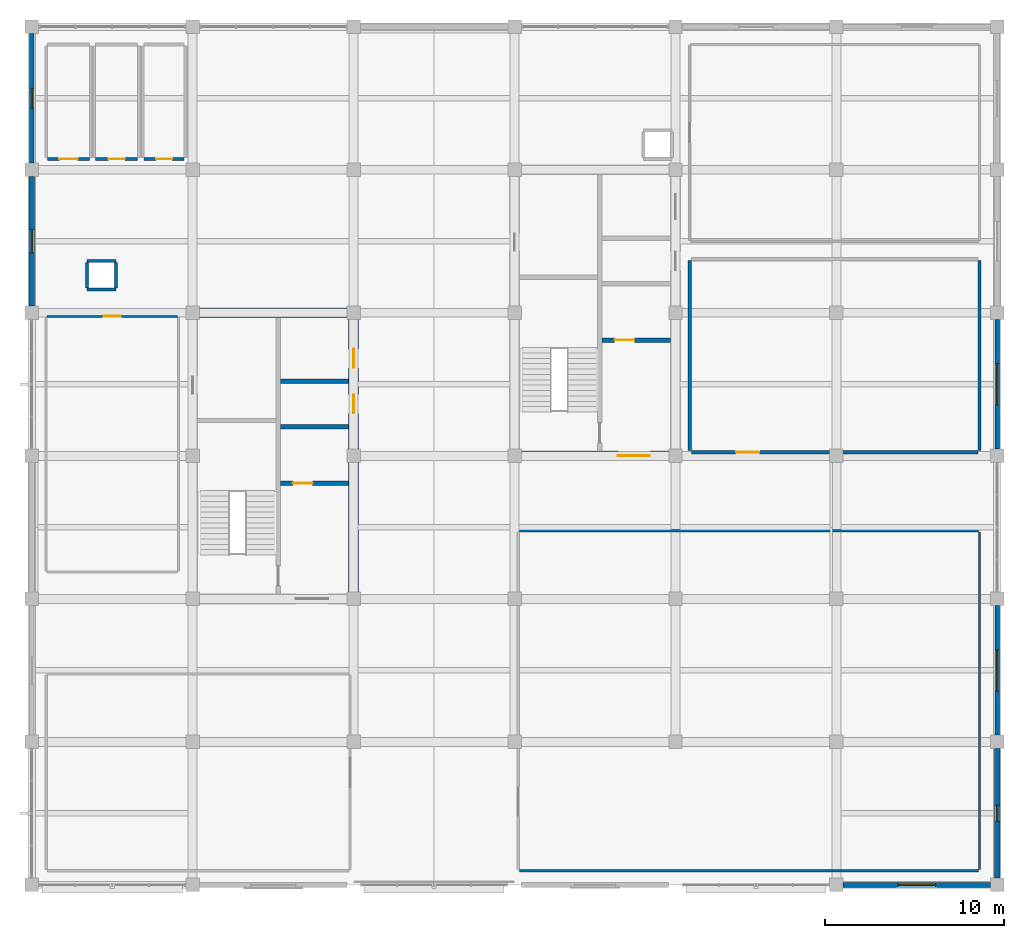
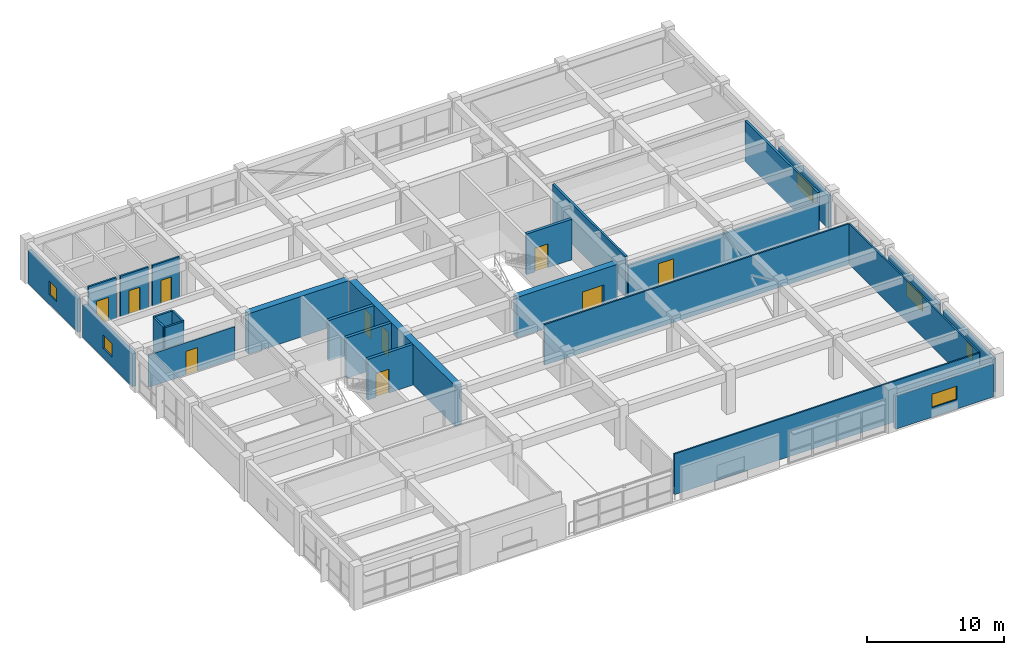
# One storey, part 12 of 15: 27 walls, 10 doors, 6 windows, 16 openings.
"""IFC4 building model written with IfcOpenShell, lengths in metres."""

from ifc_helpers import new_model, si_unit, direction, frame, frame_2d, origin, place, context, subcontext, project, spatial, rectangle, extrude, material, layer, layer_set, type_object, element, fill, save


model = new_model("IFC4")

# Units and contexts
model_context = context("Model", 3, precision=1e-05, world=origin(), true_north=direction((0.0, 1.0)))
body_context = subcontext(model_context, "Body", "Model", "MODEL_VIEW")
ifc_project = project(units=[si_unit("LENGTHUNIT", "METRE"), si_unit("AREAUNIT", "SQUARE_METRE"), si_unit("VOLUMEUNIT", "CUBIC_METRE"), si_unit("PLANEANGLEUNIT", "RADIAN"), si_unit("MASSUNIT", "GRAM", prefix="KILO")], contexts=[model_context])

# Site, building, storey
site_placement = place(None, origin())
site = spatial("IfcSite", under=ifc_project, at=site_placement, CompositionType="ELEMENT")
building_placement = place(site_placement, origin())
building = spatial("IfcBuilding", under=site, at=building_placement, Name="Zaverband Oceanarium and Marine Research Institute", CompositionType="ELEMENT")
storey_placement = place(building_placement, frame((0.0, 0.0, 49.199951171875)))
storey = spatial("IfcBuildingStorey", under=building, at=storey_placement, Name="L12", CompositionType="ELEMENT", Elevation=49.199951171875)

# Wall
ifc_material_1 = material(Name="Concrete C50/60", Category="concrete")
ifc_layer_1 = layer(ifc_material_1, 0.550048828125, Name="Concrete C50/60")
ifc_layer_set_1 = layer_set([ifc_layer_1], Name="Concrete C50/60")
wall_type_1 = type_object("IfcWallType", Name="CW-01", PredefinedType="SHEAR", material=ifc_layer_set_1)
wall_1_placement = place(storey_placement, frame((18.27490234375, 96.0, 0.0), z_axis=(0.0, 0.0, 1.0), x_axis=(1.0, 0.0, 0.0)))
element("IfcWall", 1, at=wall_1_placement, inside=storey, type_object=wall_type_1, Name="Structural shear wall CW-01", PredefinedType="SHEAR", context=body_context, shape_type="SweptSolid", body=[
    extrude(rectangle(XDim=8.4501953125, YDim=0.550048828125, at=frame_2d((4.22509765625, 0.0))), origin(), (0.0, 0.0, 1.0), 3.6201171875),
])

# Wall, openings, doors
wall_2_placement = place(storey_placement, frame((27.0, 80.27490234375, 0.0), z_axis=(0.0, 0.0, 1.0), x_axis=(0.0, 1.0, 0.0)))
wall_2 = element("IfcWall", 2, at=wall_2_placement, inside=storey, type_object=wall_type_1, Name="Structural shear wall CW-01", PredefinedType="SHEAR", context=body_context, shape_type="SweptSolid", body=[
    extrude(rectangle(XDim=15.4501953125, YDim=0.550048828125, at=frame_2d((7.72509765625, 0.0))), origin(), (0.0, 0.0, 1.0), 3.6201171875),
])
opening_1_placement = place(wall_2_placement, frame((10.10009765625, 0.0, 0.0)))
opening_1 = element("IfcOpeningElement", 3, at=opening_1_placement, cuts=wall_2, Name="Opening LD-02", PredefinedType="OPENING", context=body_context, shape_type="SweptSolid", body=[
    extrude(rectangle(XDim=1.050048828125, YDim=2.1201171875, at=frame_2d((0.52490234375, 1.06005859375))), frame((0.0, 0.287109375, 0.0), z_axis=(0.0, -1.0, 0.0), x_axis=(1.0, 0.0, 0.0)), (0.0, 0.0, 1.0), 0.573974609375),
])
opening_2_placement = place(wall_2_placement, frame((12.64990234375, 0.0, 0.0)))
opening_2 = element("IfcOpeningElement", 4, at=opening_2_placement, cuts=wall_2, Name="Opening LD-02", PredefinedType="OPENING", context=body_context, shape_type="SweptSolid", body=[
    extrude(rectangle(XDim=1.050048828125, YDim=2.1201171875, at=frame_2d((0.52490234375, 1.06005859375))), frame((0.0, 0.287109375, 0.0), z_axis=(0.0, -1.0, 0.0), x_axis=(1.0, 0.0, 0.0)), (0.0, 0.0, 1.0), 0.573974609375),
])
ifc_material_2 = material(Name="Steel S355", Category="steel")
door_type_1 = type_object("IfcDoorType", Name="LD-02", OperationType="DOUBLE_DOOR_SLIDING", PredefinedType="DOOR", material=ifc_material_2)
door_1_placement = place(opening_1_placement, origin())
door_1 = element("IfcDoor", 5, at=door_1_placement, inside=storey, type_object=door_type_1, Name="Passenger lift sliding landing door LD-02", OperationType="DOUBLE_DOOR_SLIDING", OverallHeight=2.1201171875, OverallWidth=1.050048828125, PredefinedType="DOOR", context=body_context, shape_type="SweptSolid", body=[
    extrude(rectangle(XDim=1.050048828125, YDim=2.1201171875, at=frame_2d((0.52490234375, 1.06005859375))), frame((0.0, 0.02490234375, 0.0), z_axis=(0.0, -1.0, 0.0), x_axis=(1.0, 0.0, 0.0)), (0.0, 0.0, 1.0), 0.050048828125),
])
fill(opening_1, door_1)
door_2_placement = place(opening_2_placement, origin())
door_2 = element("IfcDoor", 6, at=door_2_placement, inside=storey, type_object=door_type_1, Name="Passenger lift sliding landing door LD-02", OperationType="DOUBLE_DOOR_SLIDING", OverallHeight=2.1201171875, OverallWidth=1.050048828125, PredefinedType="DOOR", context=body_context, shape_type="SweptSolid", body=[
    extrude(rectangle(XDim=1.050048828125, YDim=2.1201171875, at=frame_2d((0.52490234375, 1.06005859375))), frame((0.0, 0.02490234375, 0.0), z_axis=(0.0, -1.0, 0.0), x_axis=(1.0, 0.0, 0.0)), (0.0, 0.0, 1.0), 0.050048828125),
])
fill(opening_2, door_2)

# Wall, opening, door
wall_3_placement = place(storey_placement, frame((36.27490234375, 88.0, 0.0), z_axis=(0.0, 0.0, 1.0), x_axis=(1.0, 0.0, 0.0)))
wall_3 = element("IfcWall", 7, at=wall_3_placement, inside=storey, type_object=wall_type_1, Name="Structural shear wall CW-01", PredefinedType="SHEAR", context=body_context, shape_type="SweptSolid", body=[
    extrude(rectangle(XDim=8.4501953125, YDim=0.550048828125, at=frame_2d((4.22509765625, 0.0))), origin(), (0.0, 0.0, 1.0), 3.6201171875),
])
opening_3_placement = place(wall_3_placement, frame((5.5, 0.0, 0.0)))
opening_3 = element("IfcOpeningElement", 8, at=opening_3_placement, cuts=wall_3, Name="Opening FD-02", PredefinedType="OPENING", context=body_context, shape_type="SweptSolid", body=[
    extrude(rectangle(XDim=1.800048828125, YDim=2.179931640625, at=frame_2d((0.89990234375, 1.08984375))), frame((0.0, 0.287109375, 0.0), z_axis=(0.0, -1.0, 0.0), x_axis=(1.0, 0.0, 0.0)), (0.0, 0.0, 1.0), 0.573974609375),
])
door_type_2 = type_object("IfcDoorType", Name="FD-02", OperationType="DOUBLE_DOOR_SINGLE_SWING", PredefinedType="DOOR", material=ifc_material_2)
door_3_placement = place(opening_3_placement, origin())
door_3 = element("IfcDoor", 9, at=door_3_placement, inside=storey, type_object=door_type_2, Name="Protected lobby double fire door FD-02", OperationType="DOUBLE_DOOR_SINGLE_SWING", OverallHeight=2.179931640625, OverallWidth=1.800048828125, PredefinedType="DOOR", context=body_context, shape_type="SweptSolid", body=[
    extrude(rectangle(XDim=1.800048828125, YDim=2.179931640625, at=frame_2d((0.89990234375, 1.08984375))), frame((0.0, 0.02490234375, 0.0), z_axis=(0.0, -1.0, 0.0), x_axis=(1.0, 0.0, 0.0)), (0.0, 0.0, 1.0), 0.050048828125),
])
fill(opening_3, door_3)

# Wall, opening, window
ifc_material_3 = material(Name="Concrete C40/50 precast", Category="concrete")
ifc_layer_2 = layer(ifc_material_3, 0.264892578125, Name="Concrete C40/50 precast")
ifc_layer_set_2 = layer_set([ifc_layer_2], Name="Concrete C40/50 precast")
wall_type_2 = type_object("IfcWallType", Name="EW-265", PredefinedType="STANDARD", material=ifc_layer_set_2)
wall_4_placement = place(storey_placement, frame((54.3798828125, 64.0, 0.0), z_axis=(0.0, 0.0, 1.0), x_axis=(1.0, 0.0, 0.0)))
wall_4 = element("IfcWall", 10, at=wall_4_placement, inside=storey, type_object=wall_type_2, Name="Exterior infill wall EW-265", PredefinedType="STANDARD", context=body_context, shape_type="SweptSolid", body=[
    extrude(rectangle(XDim=8.240234375, YDim=0.264892578125, at=frame_2d((4.1201171875, 0.0))), origin(), (0.0, 0.0, 1.0), 2.949951171875),
])
opening_4_placement = place(wall_4_placement, frame((3.070068359375, 0.0, 0.85009765625)))
opening_4 = element("IfcOpeningElement", 11, at=opening_4_placement, cuts=wall_4, Name="Opening WN-2100x1200", PredefinedType="OPENING", context=body_context, shape_type="SweptSolid", body=[
    extrude(rectangle(XDim=2.10009765625, YDim=1.199951171875, at=frame_2d((1.050048828125, 0.60009765625))), frame((0.0, 0.14453125, 0.0), z_axis=(0.0, -1.0, 0.0), x_axis=(1.0, 0.0, 0.0)), (0.0, 0.0, 1.0), 0.288818359375),
])
ifc_material_4 = material(Name="Thermally broken anodized aluminium and solar-control glass", Category="aluminium")
window_type_1 = type_object("IfcWindowType", Name="WN-2100x1200", PartitioningType="SINGLE_PANEL", PredefinedType="WINDOW", material=ifc_material_4)
window_1_placement = place(opening_4_placement, origin())
window_1 = element("IfcWindow", 12, at=window_1_placement, inside=storey, type_object=window_type_1, Name="Fixed / casement exterior window WN-2100x1200", OverallHeight=1.199951171875, OverallWidth=2.10009765625, PartitioningType="SINGLE_PANEL", PredefinedType="WINDOW", context=body_context, shape_type="SweptSolid", body=[
    extrude(rectangle(XDim=2.10009765625, YDim=1.199951171875, at=frame_2d((1.050048828125, 0.60009765625))), frame((0.0, 0.030029296875, 0.0), z_axis=(0.0, -1.0, 0.0), x_axis=(1.0, 0.0, 0.0)), (0.0, 0.0, 1.0), 0.06005859375),
])
fill(opening_4, window_1)

wall_5_placement = place(storey_placement, frame((9.0, 104.3798828125, 0.0), z_axis=(0.0, 0.0, 1.0), x_axis=(0.0, 1.0, 0.0)))
wall_5 = element("IfcWall", 13, at=wall_5_placement, inside=storey, type_object=wall_type_2, Name="Exterior infill wall EW-265", PredefinedType="STANDARD", context=body_context, shape_type="SweptSolid", body=[
    extrude(rectangle(XDim=7.240234375, YDim=0.264892578125, at=frame_2d((3.6201171875, 0.0))), origin(), (0.0, 0.0, 1.0), 2.949951171875),
])
opening_5_placement = place(wall_5_placement, frame((3.070068359375, 0.0, 0.85009765625)))
opening_5 = element("IfcOpeningElement", 14, at=opening_5_placement, cuts=wall_5, Name="Opening WN-1100x1200", PredefinedType="OPENING", context=body_context, shape_type="SweptSolid", body=[
    extrude(rectangle(XDim=1.10009765625, YDim=1.199951171875, at=frame_2d((0.550048828125, 0.60009765625))), frame((0.0, 0.14453125, 0.0), z_axis=(0.0, -1.0, 0.0), x_axis=(1.0, 0.0, 0.0)), (0.0, 0.0, 1.0), 0.288818359375),
])
window_type_2 = type_object("IfcWindowType", Name="WN-1100x1200", PartitioningType="SINGLE_PANEL", PredefinedType="WINDOW", material=ifc_material_4)
window_2_placement = place(opening_5_placement, origin())
window_2 = element("IfcWindow", 15, at=window_2_placement, inside=storey, type_object=window_type_2, Name="Fixed / casement exterior window WN-1100x1200", OverallHeight=1.199951171875, OverallWidth=1.10009765625, PartitioningType="SINGLE_PANEL", PredefinedType="WINDOW", context=body_context, shape_type="SweptSolid", body=[
    extrude(rectangle(XDim=1.10009765625, YDim=1.199951171875, at=frame_2d((0.550048828125, 0.60009765625))), frame((0.0, 0.030029296875, 0.0), z_axis=(0.0, -1.0, 0.0), x_axis=(1.0, 0.0, 0.0)), (0.0, 0.0, 1.0), 0.06005859375),
])
fill(opening_5, window_2)

wall_6_placement = place(storey_placement, frame((63.0, 72.3798828125, 0.0), z_axis=(0.0, 0.0, 1.0), x_axis=(0.0, 1.0, 0.0)))
wall_6 = element("IfcWall", 16, at=wall_6_placement, inside=storey, type_object=wall_type_2, Name="Exterior infill wall EW-265", PredefinedType="STANDARD", context=body_context, shape_type="SweptSolid", body=[
    extrude(rectangle(XDim=7.240234375, YDim=0.264892578125, at=frame_2d((3.6201171875, 0.0))), origin(), (0.0, 0.0, 1.0), 2.949951171875),
])
opening_6_placement = place(wall_6_placement, frame((2.469970703125, 0.0, 0.85009765625)))
opening_6 = element("IfcOpeningElement", 17, at=opening_6_placement, cuts=wall_6, Name="Opening WN-2300x1350", PredefinedType="OPENING", context=body_context, shape_type="SweptSolid", body=[
    extrude(rectangle(XDim=2.300048828125, YDim=1.35009765625, at=frame_2d((1.14990234375, 0.675048828125))), frame((0.0, 0.14453125, 0.0), z_axis=(0.0, -1.0, 0.0), x_axis=(1.0, 0.0, 0.0)), (0.0, 0.0, 1.0), 0.288818359375),
])
window_type_3 = type_object("IfcWindowType", Name="WN-2300x1350", PartitioningType="SINGLE_PANEL", PredefinedType="WINDOW", material=ifc_material_4)
window_3_placement = place(opening_6_placement, origin())
window_3 = element("IfcWindow", 18, at=window_3_placement, inside=storey, type_object=window_type_3, Name="Fixed / casement exterior window WN-2300x1350", OverallHeight=1.35009765625, OverallWidth=2.300048828125, PartitioningType="SINGLE_PANEL", PredefinedType="WINDOW", context=body_context, shape_type="SweptSolid", body=[
    extrude(rectangle(XDim=2.300048828125, YDim=1.35009765625, at=frame_2d((1.14990234375, 0.675048828125))), frame((0.0, 0.030029296875, 0.0), z_axis=(0.0, -1.0, 0.0), x_axis=(1.0, 0.0, 0.0)), (0.0, 0.0, 1.0), 0.06005859375),
])
fill(opening_6, window_3)

wall_7_placement = place(storey_placement, frame((63.0, 88.3798828125, 0.0), z_axis=(0.0, 0.0, 1.0), x_axis=(0.0, 1.0, 0.0)))
wall_7 = element("IfcWall", 19, at=wall_7_placement, inside=storey, type_object=wall_type_2, Name="Exterior infill wall EW-265", PredefinedType="STANDARD", context=body_context, shape_type="SweptSolid", body=[
    extrude(rectangle(XDim=7.240234375, YDim=0.264892578125, at=frame_2d((3.6201171875, 0.0))), origin(), (0.0, 0.0, 1.0), 2.949951171875),
])
opening_7_placement = place(wall_7_placement, frame((2.469970703125, 0.0, 0.85009765625)))
opening_7 = element("IfcOpeningElement", 20, at=opening_7_placement, cuts=wall_7, Name="Opening WN-2300x1350", PredefinedType="OPENING", context=body_context, shape_type="SweptSolid", body=[
    extrude(rectangle(XDim=2.300048828125, YDim=1.35009765625, at=frame_2d((1.14990234375, 0.675048828125))), frame((0.0, 0.14453125, 0.0), z_axis=(0.0, -1.0, 0.0), x_axis=(1.0, 0.0, 0.0)), (0.0, 0.0, 1.0), 0.288818359375),
])
window_4_placement = place(opening_7_placement, origin())
window_4 = element("IfcWindow", 21, at=window_4_placement, inside=storey, type_object=window_type_3, Name="Fixed / casement exterior window WN-2300x1350", OverallHeight=1.35009765625, OverallWidth=2.300048828125, PartitioningType="SINGLE_PANEL", PredefinedType="WINDOW", context=body_context, shape_type="SweptSolid", body=[
    extrude(rectangle(XDim=2.300048828125, YDim=1.35009765625, at=frame_2d((1.14990234375, 0.675048828125))), frame((0.0, 0.030029296875, 0.0), z_axis=(0.0, -1.0, 0.0), x_axis=(1.0, 0.0, 0.0)), (0.0, 0.0, 1.0), 0.06005859375),
])
fill(opening_7, window_4)

ifc_layer_3 = layer(ifc_material_3, 0.2900390625, Name="Concrete C40/50 precast")
ifc_layer_set_3 = layer_set([ifc_layer_3], Name="Concrete C40/50 precast")
wall_type_3 = type_object("IfcWallType", Name="EW-290", PredefinedType="STANDARD", material=ifc_layer_set_3)
wall_8_placement = place(storey_placement, frame((9.0, 96.3798828125, 0.0), z_axis=(0.0, 0.0, 1.0), x_axis=(0.0, 1.0, 0.0)))
wall_8 = element("IfcWall", 22, at=wall_8_placement, inside=storey, type_object=wall_type_3, Name="Exterior infill wall EW-290", PredefinedType="STANDARD", context=body_context, shape_type="SweptSolid", body=[
    extrude(rectangle(XDim=7.240234375, YDim=0.2900390625, at=frame_2d((3.6201171875, 0.0))), origin(), (0.0, 0.0, 1.0), 2.949951171875),
])
opening_8_placement = place(wall_8_placement, frame((2.969970703125, 0.0, 0.85009765625)))
opening_8 = element("IfcOpeningElement", 23, at=opening_8_placement, cuts=wall_8, Name="Opening WN-1300x1200", PredefinedType="OPENING", context=body_context, shape_type="SweptSolid", body=[
    extrude(rectangle(XDim=1.300048828125, YDim=1.199951171875, at=frame_2d((0.64990234375, 0.60009765625))), frame((0.0, 0.156982421875, 0.0), z_axis=(0.0, -1.0, 0.0), x_axis=(1.0, 0.0, 0.0)), (0.0, 0.0, 1.0), 0.31396484375),
])
window_type_4 = type_object("IfcWindowType", Name="WN-1300x1200", PartitioningType="SINGLE_PANEL", PredefinedType="WINDOW", material=ifc_material_4)
window_5_placement = place(opening_8_placement, origin())
window_5 = element("IfcWindow", 24, at=window_5_placement, inside=storey, type_object=window_type_4, Name="Fixed / casement exterior window WN-1300x1200", OverallHeight=1.199951171875, OverallWidth=1.300048828125, PartitioningType="SINGLE_PANEL", PredefinedType="WINDOW", context=body_context, shape_type="SweptSolid", body=[
    extrude(rectangle(XDim=1.300048828125, YDim=1.199951171875, at=frame_2d((0.64990234375, 0.60009765625))), frame((0.0, 0.030029296875, 0.0), z_axis=(0.0, -1.0, 0.0), x_axis=(1.0, 0.0, 0.0)), (0.0, 0.0, 1.0), 0.06005859375),
])
fill(opening_8, window_5)

wall_9_placement = place(storey_placement, frame((63.0, 64.3798828125, 0.0), z_axis=(0.0, 0.0, 1.0), x_axis=(0.0, 1.0, 0.0)))
wall_9 = element("IfcWall", 25, at=wall_9_placement, inside=storey, type_object=wall_type_3, Name="Exterior infill wall EW-290", PredefinedType="STANDARD", context=body_context, shape_type="SweptSolid", body=[
    extrude(rectangle(XDim=7.240234375, YDim=0.2900390625, at=frame_2d((3.6201171875, 0.0))), origin(), (0.0, 0.0, 1.0), 2.949951171875),
])
opening_9_placement = place(wall_9_placement, frame((3.169921875, 0.0, 0.85009765625)))
opening_9 = element("IfcOpeningElement", 26, at=opening_9_placement, cuts=wall_9, Name="Opening WN-900x1200", PredefinedType="OPENING", context=body_context, shape_type="SweptSolid", body=[
    extrude(rectangle(XDim=0.89990234375, YDim=1.199951171875, at=frame_2d((0.449951171875, 0.60009765625))), frame((0.0, 0.156982421875, 0.0), z_axis=(0.0, -1.0, 0.0), x_axis=(1.0, 0.0, 0.0)), (0.0, 0.0, 1.0), 0.31396484375),
])
window_type_5 = type_object("IfcWindowType", Name="WN-900x1200", PartitioningType="SINGLE_PANEL", PredefinedType="WINDOW", material=ifc_material_4)
window_6_placement = place(opening_9_placement, origin())
window_6 = element("IfcWindow", 27, at=window_6_placement, inside=storey, type_object=window_type_5, Name="Fixed / casement exterior window WN-900x1200", OverallHeight=1.199951171875, OverallWidth=0.89990234375, PartitioningType="SINGLE_PANEL", PredefinedType="WINDOW", context=body_context, shape_type="SweptSolid", body=[
    extrude(rectangle(XDim=0.89990234375, YDim=1.199951171875, at=frame_2d((0.449951171875, 0.60009765625))), frame((0.0, 0.030029296875, 0.0), z_axis=(0.0, -1.0, 0.0), x_axis=(1.0, 0.0, 0.0)), (0.0, 0.0, 1.0), 0.06005859375),
])
fill(opening_9, window_6)

# Wall, opening, door
ifc_material_5 = material(Name="Insulated metal-stud office partition")
ifc_layer_4 = layer(ifc_material_5, 0.1201171875, Name="Insulated metal-stud office partition")
ifc_layer_set_4 = layer_set([ifc_layer_4], Name="Insulated metal-stud office partition")
wall_type_4 = type_object("IfcWallType", Name="PT-120-OF", PredefinedType="PARTITIONING", material=ifc_layer_set_4)
wall_10_placement = place(storey_placement, frame((9.860107421875, 95.800048828125, 0.0), z_axis=(0.0, 0.0, 1.0), x_axis=(1.0, 0.0, 0.0)))
wall_10 = element("IfcWall", 28, at=wall_10_placement, inside=storey, type_object=wall_type_4, Name="Internal partition PT-120-OF", PredefinedType="PARTITIONING", context=body_context, shape_type="SweptSolid", body=[
    extrude(rectangle(XDim=7.27978515625, YDim=0.1201171875, at=frame_2d((3.639892578125, 0.0))), origin(), (0.0, 0.0, 1.0), 2.8701171875),
])
opening_10_placement = place(wall_10_placement, frame((3.159912109375, 0.0, 0.0)))
opening_10 = element("IfcOpeningElement", 29, at=opening_10_placement, cuts=wall_10, Name="Opening ID-960x2100", PredefinedType="OPENING", context=body_context, shape_type="SweptSolid", body=[
    extrude(rectangle(XDim=0.9599609375, YDim=2.10009765625, at=frame_2d((0.47998046875, 1.050048828125))), frame((0.0, 0.072021484375, 0.0), z_axis=(0.0, -1.0, 0.0), x_axis=(1.0, 0.0, 0.0)), (0.0, 0.0, 1.0), 0.14404296875),
])
ifc_material_6 = material(Name="Hardwood-veneered acoustic timber", Category="wood")
door_type_3 = type_object("IfcDoorType", Name="ID-960x2100", OperationType="NOTDEFINED", PredefinedType="DOOR", material=ifc_material_6)
door_4_placement = place(opening_10_placement, origin())
door_4 = element("IfcDoor", 30, at=door_4_placement, inside=storey, type_object=door_type_3, Name="Research write-up office door ID-960x2100", OperationType="SINGLE_SWING_LEFT", OverallHeight=2.10009765625, OverallWidth=0.9599609375, PredefinedType="DOOR", context=body_context, shape_type="SweptSolid", body=[
    extrude(rectangle(XDim=0.9599609375, YDim=2.10009765625, at=frame_2d((0.47998046875, 1.050048828125))), frame((0.0, 0.02490234375, 0.0), z_axis=(0.0, -1.0, 0.0), x_axis=(1.0, 0.0, 0.0)), (0.0, 0.0, 1.0), 0.050048828125),
])
fill(opening_10, door_4)

# Walls
ifc_material_7 = material(Name="Archive fire-lined partition")
ifc_layer_5 = layer(ifc_material_7, 0.1298828125, Name="Archive fire-lined partition")
ifc_layer_set_5 = layer_set([ifc_layer_5], Name="Archive fire-lined partition")
wall_type_5 = type_object("IfcWallType", Name="PT-130-AR", PredefinedType="PARTITIONING", material=ifc_layer_set_5)
for number, where, z_axis, x_axis, name in (
    (31, (36.264892578125, 64.800048828125, 0.0), (0.0, 0.0, 1.0), (1.0, 0.0, 0.0), "Internal partition PT-130-AR"),
    (32, (36.264892578125, 83.800048828125, 0.0), (0.0, 0.0, 1.0), (1.0, 0.0, 0.0), "Internal partition PT-130-AR"),
):
    element("IfcWall", number, at=place(storey_placement, frame(where, z_axis=z_axis, x_axis=x_axis)), inside=storey, type_object=wall_type_5, Name=name, PredefinedType="PARTITIONING", context=body_context, shape_type="SweptSolid", body=[
        extrude(rectangle(XDim=25.670166015625, YDim=0.1298828125, at=frame_2d((12.8349609375, 0.0))), origin(), (0.0, 0.0, 1.0), 3.6201171875),
    ])
wall_11_placement = place(storey_placement, frame((62.0, 64.864990234375, 0.0), z_axis=(0.0, 0.0, 1.0), x_axis=(0.0, 1.0, 0.0)))
element("IfcWall", 33, at=wall_11_placement, inside=storey, type_object=wall_type_5, Name="Internal partition PT-130-AR", PredefinedType="PARTITIONING", context=body_context, shape_type="SweptSolid", body=[
    extrude(rectangle(XDim=18.8701171875, YDim=0.1298828125, at=frame_2d((9.43505859375, 0.0))), origin(), (0.0, 0.0, 1.0), 3.6201171875),
])

# Wall, opening, door
ifc_material_8 = material(Name="Ceramic-tiled wet-room blockwork", Category="masonry")
ifc_layer_6 = layer(ifc_material_8, 0.14990234375, Name="Ceramic-tiled wet-room blockwork")
ifc_layer_set_6 = layer_set([ifc_layer_6], Name="Ceramic-tiled wet-room blockwork")
wall_type_6 = type_object("IfcWallType", Name="PT-150-WC", PredefinedType="PARTITIONING", material=ifc_layer_set_6)
wall_12_placement = place(storey_placement, frame((9.875, 104.60009765625, 0.0), z_axis=(0.0, 0.0, 1.0), x_axis=(1.0, 0.0, 0.0)))
wall_12 = element("IfcWall", 34, at=wall_12_placement, inside=storey, type_object=wall_type_6, Name="Internal partition PT-150-WC", PredefinedType="PARTITIONING", context=body_context, shape_type="SweptSolid", body=[
    extrude(rectangle(XDim=2.35009765625, YDim=0.14990234375, at=frame_2d((1.175048828125, 0.0))), origin(), (0.0, 0.0, 1.0), 3.6201171875),
])
opening_11_placement = place(wall_12_placement, frame((0.6650390625, 0.0, 0.0)))
opening_11 = element("IfcOpeningElement", 35, at=opening_11_placement, cuts=wall_12, Name="Opening ID-1020x2100", PredefinedType="OPENING", context=body_context, shape_type="SweptSolid", body=[
    extrude(rectangle(XDim=1.02001953125, YDim=2.10009765625, at=frame_2d((0.510009765625, 1.050048828125))), frame((0.0, 0.0869140625, 0.0), z_axis=(0.0, -1.0, 0.0), x_axis=(1.0, 0.0, 0.0)), (0.0, 0.0, 1.0), 0.173828125),
])
door_type_4 = type_object("IfcDoorType", Name="ID-1020x2100", OperationType="NOTDEFINED", PredefinedType="DOOR", material=ifc_material_6)
door_5_placement = place(opening_11_placement, frame((1.02001953125, 0.0, 0.0), z_axis=(0.0, 0.0, 1.0), x_axis=(-1.0, 0.0, 0.0)))
door_5 = element("IfcDoor", 36, at=door_5_placement, inside=storey, type_object=door_type_4, Name="Accessible WC outward-swing door ID-1020x2100", OperationType="SINGLE_SWING_LEFT", OverallHeight=2.10009765625, OverallWidth=1.02001953125, PredefinedType="DOOR", context=body_context, shape_type="SweptSolid", body=[
    extrude(rectangle(XDim=1.02001953125, YDim=2.10009765625, at=frame_2d((0.510009765625, 1.050048828125))), frame((0.0, 0.02490234375, 0.0), z_axis=(0.0, -1.0, 0.0), x_axis=(1.0, 0.0, 0.0)), (0.0, 0.0, 1.0), 0.050048828125),
])
fill(opening_11, door_5)

wall_13_placement = place(storey_placement, frame((12.574951171875, 104.60009765625, 0.0), z_axis=(0.0, 0.0, 1.0), x_axis=(1.0, 0.0, 0.0)))
wall_13 = element("IfcWall", 37, at=wall_13_placement, inside=storey, type_object=wall_type_6, Name="Internal partition PT-150-WC", PredefinedType="PARTITIONING", context=body_context, shape_type="SweptSolid", body=[
    extrude(rectangle(XDim=2.35009765625, YDim=0.14990234375, at=frame_2d((1.175048828125, 0.0))), origin(), (0.0, 0.0, 1.0), 3.6201171875),
])
opening_12_placement = place(wall_13_placement, frame((0.719970703125, 0.0, 0.0)))
opening_12 = element("IfcOpeningElement", 38, at=opening_12_placement, cuts=wall_13, Name="Opening ID-910x2080", PredefinedType="OPENING", context=body_context, shape_type="SweptSolid", body=[
    extrude(rectangle(XDim=0.909912109375, YDim=2.080078125, at=frame_2d((0.455078125, 1.0400390625))), frame((0.0, 0.0869140625, 0.0), z_axis=(0.0, -1.0, 0.0), x_axis=(1.0, 0.0, 0.0)), (0.0, 0.0, 1.0), 0.173828125),
])
door_type_5 = type_object("IfcDoorType", Name="ID-910x2080", OperationType="NOTDEFINED", PredefinedType="DOOR", material=ifc_material_6)
door_6_placement = place(opening_12_placement, origin())
door_6 = element("IfcDoor", 39, at=door_6_placement, inside=storey, type_object=door_type_5, Name="Sanitary washroom entrance door ID-910x2080", OperationType="SINGLE_SWING_RIGHT", OverallHeight=2.080078125, OverallWidth=0.909912109375, PredefinedType="DOOR", context=body_context, shape_type="SweptSolid", body=[
    extrude(rectangle(XDim=0.909912109375, YDim=2.080078125, at=frame_2d((0.455078125, 1.0400390625))), frame((0.0, 0.02490234375, 0.0), z_axis=(0.0, -1.0, 0.0), x_axis=(1.0, 0.0, 0.0)), (0.0, 0.0, 1.0), 0.050048828125),
])
fill(opening_12, door_6)

wall_14_placement = place(storey_placement, frame((15.27490234375, 104.60009765625, 0.0), z_axis=(0.0, 0.0, 1.0), x_axis=(1.0, 0.0, 0.0)))
wall_14 = element("IfcWall", 40, at=wall_14_placement, inside=storey, type_object=wall_type_6, Name="Internal partition PT-150-WC", PredefinedType="PARTITIONING", context=body_context, shape_type="SweptSolid", body=[
    extrude(rectangle(XDim=2.25, YDim=0.14990234375, at=frame_2d((1.125, 0.0))), origin(), (0.0, 0.0, 1.0), 3.6201171875),
])
opening_13_placement = place(wall_14_placement, frame((0.679931640625, 0.0, 0.0)))
opening_13 = element("IfcOpeningElement", 41, at=opening_13_placement, cuts=wall_14, Name="Opening ID-890x2060", PredefinedType="OPENING", context=body_context, shape_type="SweptSolid", body=[
    extrude(rectangle(XDim=0.889892578125, YDim=2.06005859375, at=frame_2d((0.44482421875, 1.030029296875))), frame((0.0, 0.0869140625, 0.0), z_axis=(0.0, -1.0, 0.0), x_axis=(1.0, 0.0, 0.0)), (0.0, 0.0, 1.0), 0.173828125),
])
door_type_6 = type_object("IfcDoorType", Name="ID-890x2060", OperationType="NOTDEFINED", PredefinedType="DOOR", material=ifc_material_6)
door_7_placement = place(opening_13_placement, origin())
door_7 = element("IfcDoor", 42, at=door_7_placement, inside=storey, type_object=door_type_6, Name="Staff WC door ID-890x2060", OperationType="SINGLE_SWING_LEFT", OverallHeight=2.06005859375, OverallWidth=0.889892578125, PredefinedType="DOOR", context=body_context, shape_type="SweptSolid", body=[
    extrude(rectangle(XDim=0.889892578125, YDim=2.06005859375, at=frame_2d((0.44482421875, 1.030029296875))), frame((0.0, 0.02490234375, 0.0), z_axis=(0.0, -1.0, 0.0), x_axis=(1.0, 0.0, 0.0)), (0.0, 0.0, 1.0), 0.050048828125),
])
fill(opening_13, door_7)

# Walls
ifc_material_9 = material(Name="Corridor rated drywall partition")
ifc_layer_7 = layer(ifc_material_9, 0.1650390625, Name="Corridor rated drywall partition")
ifc_layer_set_7 = layer_set([ifc_layer_7], Name="Corridor rated drywall partition")
wall_type_7 = type_object("IfcWallType", Name="PT-165-CR", PredefinedType="PARTITIONING", material=ifc_layer_set_7)
for number, where, z_axis, x_axis, name in (
    (43, (12.10009765625, 97.300048828125, 0.0), (0.0, 0.0, 1.0), (1.0, 0.0, 0.0), "Internal partition PT-165-CR"),
    (44, (12.10009765625, 98.89990234375, 0.0), (0.0, 0.0, 1.0), (1.0, 0.0, 0.0), "Internal partition PT-165-CR"),
):
    element("IfcWall", number, at=place(storey_placement, frame(where, z_axis=z_axis, x_axis=x_axis)), inside=storey, type_object=wall_type_7, Name=name, PredefinedType="PARTITIONING", context=body_context, shape_type="SweptSolid", body=[
        extrude(rectangle(XDim=1.599853515625, YDim=0.1650390625, at=frame_2d((0.7998046875, 0.0))), origin(), (0.0, 0.0, 1.0), 3.6201171875),
    ])
for number, where, z_axis, x_axis, name in (
    (45, (12.10009765625, 97.3798828125, 0.0), (0.0, 0.0, 1.0), (0.0, 1.0, 0.0), "Internal partition PT-165-CR"),
    (46, (13.699951171875, 97.3798828125, 0.0), (0.0, 0.0, 1.0), (0.0, 1.0, 0.0), "Internal partition PT-165-CR"),
):
    element("IfcWall", number, at=place(storey_placement, frame(where, z_axis=z_axis, x_axis=x_axis)), inside=storey, type_object=wall_type_7, Name=name, PredefinedType="PARTITIONING", context=body_context, shape_type="SweptSolid", body=[
        extrude(rectangle(XDim=1.440185546875, YDim=0.1650390625, at=frame_2d((0.72021484375, 0.0))), origin(), (0.0, 0.0, 1.0), 3.6201171875),
    ])

# Wall, opening, door
ifc_material_10 = material(Name="Moisture-resistant laboratory blockwork", Category="masonry")
ifc_layer_8 = layer(ifc_material_10, 0.179931640625, Name="Moisture-resistant laboratory blockwork")
ifc_layer_set_8 = layer_set([ifc_layer_8], Name="Moisture-resistant laboratory blockwork")
wall_type_8 = type_object("IfcWallType", Name="PT-180-LB", PredefinedType="PARTITIONING", material=ifc_layer_set_8)
wall_15_placement = place(storey_placement, frame((45.889892578125, 88.199951171875, 0.0), z_axis=(0.0, 0.0, 1.0), x_axis=(1.0, 0.0, 0.0)))
wall_15 = element("IfcWall", 47, at=wall_15_placement, inside=storey, type_object=wall_type_8, Name="Internal partition PT-180-LB", PredefinedType="PARTITIONING", context=body_context, shape_type="SweptSolid", body=[
    extrude(rectangle(XDim=16.02001953125, YDim=0.179931640625, at=frame_2d((8.010009765625, 0.0))), origin(), (0.0, 0.0, 1.0), 2.8701171875),
])
opening_14_placement = place(wall_15_placement, frame((2.5, 0.0, 0.0)))
opening_14 = element("IfcOpeningElement", 48, at=opening_14_placement, cuts=wall_15, Name="Opening ID-1300x2140", PredefinedType="OPENING", context=body_context, shape_type="SweptSolid", body=[
    extrude(rectangle(XDim=1.300048828125, YDim=2.139892578125, at=frame_2d((0.64990234375, 1.06982421875))), frame((0.0, 0.10205078125, 0.0), z_axis=(0.0, -1.0, 0.0), x_axis=(1.0, 0.0, 0.0)), (0.0, 0.0, 1.0), 0.203857421875),
])
door_type_7 = type_object("IfcDoorType", Name="ID-1300x2140", OperationType="NOTDEFINED", PredefinedType="DOOR", material=ifc_material_6)
door_8_placement = place(opening_14_placement, origin())
door_8 = element("IfcDoor", 49, at=door_8_placement, inside=storey, type_object=door_type_7, Name="Genomics laboratory door ID-1300x2140", OperationType="SINGLE_SWING_LEFT", OverallHeight=2.139892578125, OverallWidth=1.300048828125, PredefinedType="DOOR", context=body_context, shape_type="SweptSolid", body=[
    extrude(rectangle(XDim=1.300048828125, YDim=2.139892578125, at=frame_2d((0.64990234375, 1.06982421875))), frame((0.0, 0.02490234375, 0.0), z_axis=(0.0, -1.0, 0.0), x_axis=(1.0, 0.0, 0.0)), (0.0, 0.0, 1.0), 0.050048828125),
])
fill(opening_14, door_8)

# Walls
for number, where, z_axis, x_axis, name in (
    (50, (45.800048828125, 88.2900390625, 0.0), (0.0, 0.0, 1.0), (0.0, 1.0, 0.0), "Internal partition PT-180-LB"),
    (51, (62.0, 88.2900390625, 0.0), (0.0, 0.0, 1.0), (0.0, 1.0, 0.0), "Internal partition PT-180-LB"),
):
    element("IfcWall", number, at=place(storey_placement, frame(where, z_axis=z_axis, x_axis=x_axis)), inside=storey, type_object=wall_type_8, Name=name, PredefinedType="PARTITIONING", context=body_context, shape_type="SweptSolid", body=[
        extrude(rectangle(XDim=10.619873046875, YDim=0.179931640625, at=frame_2d((5.31005859375, 0.0))), origin(), (0.0, 0.0, 1.0), 3.6201171875),
    ])

# Wall, opening, door
ifc_layer_9 = layer(ifc_material_1, 0.25, Name="Concrete C50/60")
ifc_layer_set_9 = layer_set([ifc_layer_9], Name="Concrete C50/60")
wall_type_9 = type_object("IfcWallType", Name="PW-CORE-250", PredefinedType="SOLIDWALL", material=ifc_layer_set_9)
wall_16_placement = place(storey_placement, frame((22.905029296875, 86.47509765625, 0.0), z_axis=(0.0, 0.0, 1.0), x_axis=(1.0, 0.0, 0.0)))
wall_16 = element("IfcWall", 52, at=wall_16_placement, inside=storey, type_object=wall_type_9, Name="Structural concrete wall PW-CORE-250", PredefinedType="SOLIDWALL", context=body_context, shape_type="SweptSolid", body=[
    extrude(rectangle(XDim=3.820068359375, YDim=0.25, at=frame_2d((1.91015625, 0.0))), origin(), (0.0, 0.0, 1.0), 3.6201171875),
])
opening_15_placement = place(wall_16_placement, frame((0.695068359375, 0.0, 0.0)))
opening_15 = element("IfcOpeningElement", 53, at=opening_15_placement, cuts=wall_16, Name="Opening LD-01", PredefinedType="OPENING", context=body_context, shape_type="SweptSolid", body=[
    extrude(rectangle(XDim=1.10009765625, YDim=2.1201171875, at=frame_2d((0.550048828125, 1.06005859375))), frame((0.0, 0.136962890625, 0.0), z_axis=(0.0, -1.0, 0.0), x_axis=(1.0, 0.0, 0.0)), (0.0, 0.0, 1.0), 0.27392578125),
])
door_type_8 = type_object("IfcDoorType", Name="LD-01", OperationType="DOUBLE_DOOR_SLIDING", PredefinedType="DOOR", material=ifc_material_2)
door_9_placement = place(opening_15_placement, origin())
door_9 = element("IfcDoor", 54, at=door_9_placement, inside=storey, type_object=door_type_8, Name="Firefighting lift sliding landing door LD-01", OperationType="DOUBLE_DOOR_SLIDING", OverallHeight=2.1201171875, OverallWidth=1.10009765625, PredefinedType="DOOR", context=body_context, shape_type="SweptSolid", body=[
    extrude(rectangle(XDim=1.10009765625, YDim=2.1201171875, at=frame_2d((0.550048828125, 1.06005859375))), frame((0.0, 0.02490234375, 0.0), z_axis=(0.0, -1.0, 0.0), x_axis=(1.0, 0.0, 0.0)), (0.0, 0.0, 1.0), 0.050048828125),
])
fill(opening_15, door_9)

# Walls
for number, where, z_axis, x_axis, name in (
    (55, (22.905029296875, 89.6298828125, 0.0), (0.0, 0.0, 1.0), (1.0, 0.0, 0.0), "Structural concrete wall PW-CORE-250"),
    (56, (22.905029296875, 92.179931640625, 0.0), (0.0, 0.0, 1.0), (1.0, 0.0, 0.0), "Structural concrete wall PW-CORE-250"),
):
    element("IfcWall", number, at=place(storey_placement, frame(where, z_axis=z_axis, x_axis=x_axis)), inside=storey, type_object=wall_type_9, Name=name, PredefinedType="SOLIDWALL", context=body_context, shape_type="SweptSolid", body=[
        extrude(rectangle(XDim=3.820068359375, YDim=0.25, at=frame_2d((1.91015625, 0.0))), origin(), (0.0, 0.0, 1.0), 3.6201171875),
    ])

# Wall, opening, door
wall_17_placement = place(storey_placement, frame((40.905029296875, 94.47509765625, 0.0), z_axis=(0.0, 0.0, 1.0), x_axis=(1.0, 0.0, 0.0)))
wall_17 = element("IfcWall", 57, at=wall_17_placement, inside=storey, type_object=wall_type_9, Name="Structural concrete wall PW-CORE-250", PredefinedType="SOLIDWALL", context=body_context, shape_type="SweptSolid", body=[
    extrude(rectangle(XDim=3.820068359375, YDim=0.25, at=frame_2d((1.91015625, 0.0))), origin(), (0.0, 0.0, 1.0), 3.6201171875),
])
opening_16_placement = place(wall_17_placement, frame((0.695068359375, 0.0, 0.0)))
opening_16 = element("IfcOpeningElement", 58, at=opening_16_placement, cuts=wall_17, Name="Opening LD-01", PredefinedType="OPENING", context=body_context, shape_type="SweptSolid", body=[
    extrude(rectangle(XDim=1.10009765625, YDim=2.1201171875, at=frame_2d((0.550048828125, 1.06005859375))), frame((0.0, 0.136962890625, 0.0), z_axis=(0.0, -1.0, 0.0), x_axis=(1.0, 0.0, 0.0)), (0.0, 0.0, 1.0), 0.27392578125),
])
door_10_placement = place(opening_16_placement, origin())
door_10 = element("IfcDoor", 59, at=door_10_placement, inside=storey, type_object=door_type_8, Name="Firefighting lift sliding landing door LD-01", OperationType="DOUBLE_DOOR_SLIDING", OverallHeight=2.1201171875, OverallWidth=1.10009765625, PredefinedType="DOOR", context=body_context, shape_type="SweptSolid", body=[
    extrude(rectangle(XDim=1.10009765625, YDim=2.1201171875, at=frame_2d((0.550048828125, 1.06005859375))), frame((0.0, 0.02490234375, 0.0), z_axis=(0.0, -1.0, 0.0), x_axis=(1.0, 0.0, 0.0)), (0.0, 0.0, 1.0), 0.050048828125),
])
fill(opening_16, door_10)

save(model, "model.ifc")
